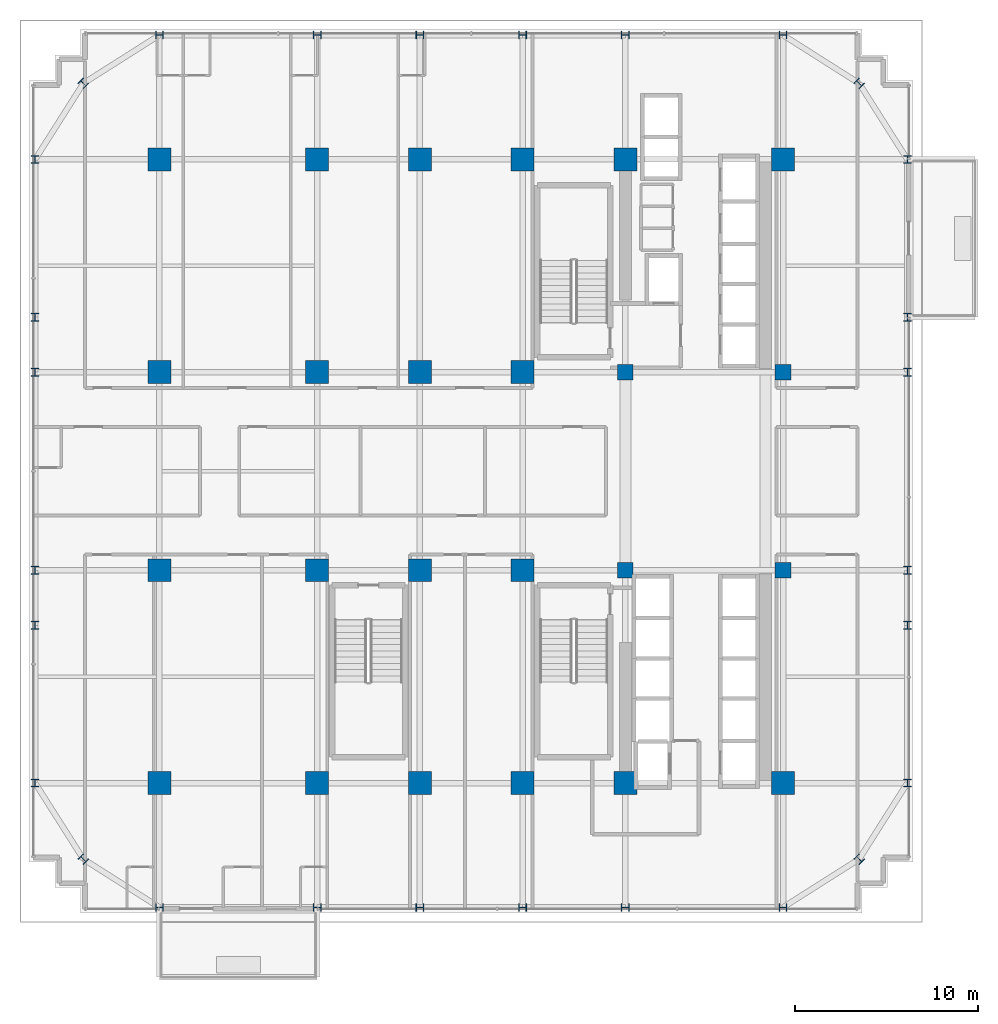
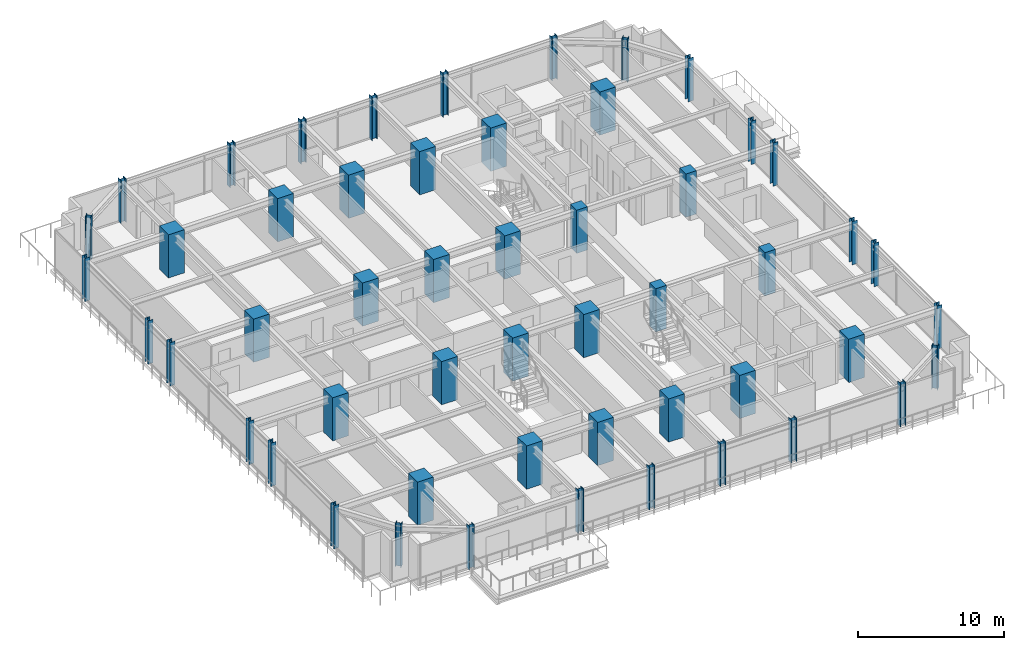
# One storey, part 1 of 34: 52 columns.
"""IFC4 building model written with IfcOpenShell, lengths in metres."""

import ifcopenshell
import ifcopenshell.guid

model = None  # the IFC model being written
_history = None  # IfcOwnerHistory: only IFC2X3 demands one
_inside = {}  # id of a spatial element -> (the spatial element, [elements in it])
_under = {}  # id of a project, library or spatial element -> (it, [spatial elements below it])
_declared = {}  # id of a project -> (the project, [libraries it declares])
_typed = {}  # id of a type object -> (the type object, [elements of that type])
_made_of = {}  # id of a material, layer set ... -> (it, [elements and type objects made of it])


def new_model(schema):
    """Start an empty IFC model of exactly this schema.

    Asked for "IFC4X3", IfcOpenShell would pick the latest addendum, in which some entities
    have other attributes; the version numbers below select the first issue.
    IFC2X3 requires an IfcOwnerHistory on every rooted entity: one is made here for all.
    """
    global model, _history
    if schema == "IFC4X3":
        model = ifcopenshell.file(schema_version=(4, 3, 0, 0))
    else:
        model = ifcopenshell.file(schema=schema)
    _inside.clear()
    _under.clear()
    _declared.clear()
    _typed.clear()
    _made_of.clear()
    _history = None
    if model.schema == "IFC2X3":
        org = make("IfcOrganization", Name="unknown")
        user = make(
            "IfcPersonAndOrganization",
            ThePerson=make("IfcPerson", FamilyName="unknown"),
            TheOrganization=org,
        )
        app = make(
            "IfcApplication",
            ApplicationDeveloper=org,
            Version="unknown",
            ApplicationFullName="unknown",
            ApplicationIdentifier="unknown",
        )
        _history = make(
            "IfcOwnerHistory",
            OwningUser=user,
            OwningApplication=app,
            ChangeAction="ADDED",
            CreationDate=0,
        )
    return model


def make(cls, **values):
    """One entity of the class cls with the attributes given. An attribute that is None is left unset."""
    return model.create_entity(
        cls, **{name: value for name, value in values.items() if value is not None}
    )


def rooted(cls, **values):
    """An entity with a GlobalId (a new one), such as an element, a storey or a relation."""
    return make(cls, GlobalId=ifcopenshell.guid.new(), OwnerHistory=_history, **values)


def si_unit(unit_type, name, prefix=None):
    """IfcSIUnit, for example si_unit("LENGTHUNIT", "METRE", prefix="MILLI")."""
    return make("IfcSIUnit", UnitType=unit_type, Prefix=prefix, Name=name)


def assignment(units):
    """IfcUnitAssignment: the units of a project."""
    return None if units is None else make("IfcUnitAssignment", Units=units)


def point(xyz):
    """IfcCartesianPoint."""
    return None if xyz is None else make("IfcCartesianPoint", Coordinates=xyz)


def direction(xyz):
    """IfcDirection."""
    return None if xyz is None else make("IfcDirection", DirectionRatios=xyz)


def frame(location, z_axis=None, x_axis=None):
    """IfcAxis2Placement3D, a coordinate frame: its origin and axes. An axis left out is left unset."""
    return make(
        "IfcAxis2Placement3D",
        Location=point(location),
        Axis=direction(z_axis),
        RefDirection=direction(x_axis),
    )


def frame_2d(location, x_axis=None):
    """IfcAxis2Placement2D, a coordinate frame in the plane: its origin and x axis."""
    return make(
        "IfcAxis2Placement2D", Location=point(location), RefDirection=direction(x_axis)
    )


def origin():
    """The frame at (0, 0, 0) with its axes left unset."""
    return frame((0.0, 0.0, 0.0))


def origin_2d():
    """The frame at (0, 0) in the plane with its x axis left unset."""
    return frame_2d((0.0, 0.0))


def place(relative_to, where):
    """IfcLocalPlacement: puts the frame where relative to a parent placement (None: the world)."""
    return make(
        "IfcLocalPlacement", PlacementRelTo=relative_to, RelativePlacement=where
    )


def context(
    kind, dimensions, precision=None, world=None, true_north=None, identifier=None
):
    """IfcGeometricRepresentationContext, for example the 3D "Model" context."""
    return make(
        "IfcGeometricRepresentationContext",
        ContextIdentifier=identifier,
        ContextType=kind,
        CoordinateSpaceDimension=dimensions,
        Precision=precision,
        WorldCoordinateSystem=world,
        TrueNorth=true_north,
    )


def subcontext(parent, identifier, kind, view, scale=None):
    """IfcGeometricRepresentationSubContext, for example "Body" below "Model"."""
    return make(
        "IfcGeometricRepresentationSubContext",
        ContextIdentifier=identifier,
        ContextType=kind,
        ParentContext=parent,
        TargetScale=scale,
        TargetView=view,
    )


def project(units=None, contexts=None):
    """IfcProject with its units and contexts."""
    return rooted(
        "IfcProject",
        Name="project",
        RepresentationContexts=contexts,
        UnitsInContext=assignment(units),
    )


def spatial(cls, under=None, at=None, **own):
    """A site, building, storey or space (cls), placed at a placement, below another one or the project."""
    s = rooted(cls, ObjectPlacement=at, **own)
    if under is not None:
        _under.setdefault(under.id(), (under, []))[1].append(s)
    return s


def profile(cls, at=None, kind="AREA", **sizes):
    """A parametric profile (cls). Its sizes go by their IFC names, for example OverallWidth=200.0."""
    return make(cls, ProfileType=kind, Position=at, **sizes)


def rectangle(**sizes):
    """IfcRectangleProfileDef."""
    return profile("IfcRectangleProfileDef", **sizes)


def i_section(**sizes):
    """IfcIShapeProfileDef."""
    return profile("IfcIShapeProfileDef", **sizes)


def extrude(swept, where, along, depth):
    """IfcExtrudedAreaSolid: the profile swept, set in the frame where, extruded along a direction by depth."""
    return make(
        "IfcExtrudedAreaSolid",
        SweptArea=swept,
        Position=where,
        ExtrudedDirection=direction(along),
        Depth=depth,
    )


def shape(context_of_items, identifier, shape_type, items):
    """IfcShapeRepresentation: the items that make up one representation, for example the "Body"."""
    return make(
        "IfcShapeRepresentation",
        ContextOfItems=context_of_items,
        RepresentationIdentifier=identifier,
        RepresentationType=shape_type,
        Items=items,
    )


def source(mapping_origin, context_of_items, identifier, shape_type, items):
    """IfcRepresentationMap: a shape defined once, which mapped items show again and again."""
    return make(
        "IfcRepresentationMap",
        MappingOrigin=mapping_origin,
        MappedRepresentation=shape(context_of_items, identifier, shape_type, items),
    )


def transform(
    local_origin,
    x_axis=None,
    y_axis=None,
    z_axis=None,
    scale=None,
    scale2=None,
    scale3=None,
    uniform=True,
):
    """IfcCartesianTransformationOperator3D, or its non-uniform kind. x_axis, y_axis, z_axis: its Axis1, 2, 3."""
    if uniform:
        return make(
            "IfcCartesianTransformationOperator3D",
            Axis1=direction(x_axis),
            Axis2=direction(y_axis),
            LocalOrigin=point(local_origin),
            Scale=scale,
            Axis3=direction(z_axis),
        )
    return make(
        "IfcCartesianTransformationOperator3DnonUniform",
        Axis1=direction(x_axis),
        Axis2=direction(y_axis),
        LocalOrigin=point(local_origin),
        Scale=scale,
        Axis3=direction(z_axis),
        Scale2=scale2,
        Scale3=scale3,
    )


def mapped(mapping_source, mapping_target):
    """IfcMappedItem: shows the shape of a source again, moved by a transform."""
    return make(
        "IfcMappedItem", MappingSource=mapping_source, MappingTarget=mapping_target
    )


def material(Name=None, Category=None):
    """IfcMaterial."""
    return make("IfcMaterial", Name=Name, Category=Category)


def material_profile(
    of_material, cross_section, Name=None, Category=None, Priority=None
):
    """IfcMaterialProfile: a cross section and its material."""
    return make(
        "IfcMaterialProfile",
        Name=Name,
        Material=of_material,
        Profile=cross_section,
        Priority=Priority,
        Category=Category,
    )


def profile_set(profiles, Name=None, composite=None):
    """IfcMaterialProfileSet."""
    return make(
        "IfcMaterialProfileSet",
        Name=Name,
        MaterialProfiles=profiles,
        CompositeProfile=composite,
    )


def made_of(thing, what):
    """Note that an element or type object is made of a material, layer set ...; save() writes the relation."""
    if what is not None:
        _made_of.setdefault(what.id(), (what, []))[1].append(thing)
    return thing


def type_object(cls, material=None, **own):
    """A type object (cls), such as IfcWallType, which elements share."""
    return made_of(rooted(cls, **own), material)


def element(
    cls,
    number,
    at=None,
    inside=None,
    cuts=None,
    type_object=None,
    material=None,
    context=None,
    identifier="Body",
    shape_type=None,
    held_by="IfcProductDefinitionShape",
    body=None,
    shapes=None,
    **own,
):
    """One element of the class cls, such as IfcWall. Its Tag is "e" and its number.

    at: its placement. inside: the storey or other place that contains it. cuts: it is an
    opening in that element (IfcRelVoidsElement). A single representation is given by context,
    identifier, shape_type and body (its items); several are given by shapes. held_by: the class
    of the entity that holds the representations. save() writes the other relations.
    """
    e = rooted(cls, Tag="e%d" % number, ObjectPlacement=at, **own)
    if body is not None:
        shapes = [shape(context, identifier, shape_type, body)]
    if shapes is not None:
        e.Representation = make(held_by, Representations=shapes)
    if inside is not None:
        _inside.setdefault(inside.id(), (inside, []))[1].append(e)
    if cuts is not None:
        rooted(
            "IfcRelVoidsElement", RelatingBuildingElement=cuts, RelatedOpeningElement=e
        )
    if type_object is not None:
        _typed.setdefault(type_object.id(), (type_object, []))[1].append(e)
    return made_of(e, material)


def aggregate(whole, parts):
    """IfcRelAggregates: a whole, such as a stair, and the parts it consists of."""
    return rooted("IfcRelAggregates", RelatingObject=whole, RelatedObjects=parts)


def save(model, path):
    """Write the relations noted so far, then the file.

    IfcRelAggregates (storeys below a building ...), IfcRelContainedInSpatialStructure (elements
    in a storey), IfcRelDefinesByType, IfcRelAssociatesMaterial and IfcRelDeclares: one each for
    every whole, place, type object, material and project.
    """
    for whole, parts in _under.values():
        aggregate(whole, parts)
    for where, things in _inside.values():
        rooted(
            "IfcRelContainedInSpatialStructure",
            RelatedElements=things,
            RelatingStructure=where,
        )
    for kind, things in _typed.values():
        rooted("IfcRelDefinesByType", RelatedObjects=things, RelatingType=kind)
    for what, things in _made_of.values():
        rooted("IfcRelAssociatesMaterial", RelatedObjects=things, RelatingMaterial=what)
    for by, libraries in _declared.values():
        rooted("IfcRelDeclares", RelatingContext=by, RelatedDefinitions=libraries)
    model.write(path)


model = new_model("IFC4")

# Units and contexts
model_context = context("Model", 3, precision=1e-05, world=origin(), true_north=direction((0.0, 1.0)))
body_context = subcontext(model_context, "Body", "Model", "MODEL_VIEW")
ifc_project = project(units=[si_unit("LENGTHUNIT", "METRE"), si_unit("AREAUNIT", "SQUARE_METRE"), si_unit("VOLUMEUNIT", "CUBIC_METRE"), si_unit("PLANEANGLEUNIT", "RADIAN"), si_unit("MASSUNIT", "GRAM", prefix="KILO")], contexts=[model_context])

# Site, building, storey
site_placement = place(None, origin())
site = spatial("IfcSite", under=ifc_project, at=site_placement, CompositionType="ELEMENT")
building_placement = place(site_placement, origin())
building = spatial("IfcBuilding", under=site, at=building_placement, Name="Nahalor Promenade Grand Hotel", CompositionType="ELEMENT")
storey_placement = place(building_placement, frame((0.0, 0.0, 88.300048828125)))
storey = spatial("IfcBuildingStorey", under=building, at=storey_placement, Name="L21", CompositionType="ELEMENT", Elevation=88.300048828125)

# Columns
ifc_material_1 = material(Name="Concrete B-70 (C60/75)", Category="concrete")
ifc_material_profile_1 = material_profile(ifc_material_1, rectangle(XDim=0.85, YDim=0.85, at=origin_2d()), Name="RC 850x850")
ifc_profile_set_1 = profile_set([ifc_material_profile_1], Name="Concrete B-70 (C60/75)")
column_type_1 = type_object("IfcColumnType", Name="Col-Pilaster-850", PredefinedType="PILASTER", material=ifc_profile_set_1)
shared_shape_1 = source(origin(), body_context, "Body", "SweptSolid", [
    extrude(rectangle(XDim=0.85, YDim=0.85, at=origin_2d()), origin(), (0.0, 0.0, 1.0), 3.60498046875),
])
for number, where, z_axis, x_axis, name in (
    (1, (8.39990234375, -5.39990234375, 0.0), (0.0, 0.0, 1.0), (1.0, 0.0, 0.0), "COL-L21-I41"),
    (2, (8.39990234375, 5.39990234375, 0.0), (0.0, 0.0, 1.0), (1.0, 0.0, 0.0), "COL-L21-I42"),
    (3, (17.0, -5.39990234375, 0.0), (0.0, 0.0, 1.0), (1.0, 0.0, 0.0), "COL-L21-I51"),
    (4, (17.0, 5.39990234375, 0.0), (0.0, 0.0, 1.0), (1.0, 0.0, 0.0), "COL-L21-I52"),
):
    element("IfcColumn", number, at=place(storey_placement, frame(where, z_axis=z_axis, x_axis=x_axis)), inside=storey, type_object=column_type_1, Name=name, PredefinedType="PILASTER", context=body_context, shape_type="MappedRepresentation", body=[
        mapped(shared_shape_1, transform((0.0, 0.0, 0.0), scale=1.0)),
    ])
ifc_material_2 = material(Name="Concrete B-60 (C50/60)", Category="concrete")
ifc_material_profile_2 = material_profile(ifc_material_2, rectangle(XDim=1.25, YDim=1.25, at=origin_2d()), Name="RC 1250x1250")
ifc_profile_set_2 = profile_set([ifc_material_profile_2], Name="Concrete B-60 (C50/60)")
column_type_2 = type_object("IfcColumnType", Name="Col-RC-1250", PredefinedType="COLUMN", material=ifc_profile_set_2)
shared_shape_2 = source(origin(), body_context, "Body", "SweptSolid", [
    extrude(rectangle(XDim=1.25, YDim=1.25, at=origin_2d()), origin(), (0.0, 0.0, 1.0), 3.60498046875),
])
for number, where, z_axis, x_axis, name in (
    (5, (-17.0, -17.0, 0.0), (0.0, 0.0, 1.0), (1.0, 0.0, 0.0), "COL-L21-I00"),
    (6, (-17.0, -5.39990234375, 0.0), (0.0, 0.0, 1.0), (1.0, 0.0, 0.0), "COL-L21-I01"),
    (7, (-17.0, 5.39990234375, 0.0), (0.0, 0.0, 1.0), (1.0, 0.0, 0.0), "COL-L21-I02"),
    (8, (-17.0, 17.0, 0.0), (0.0, 0.0, 1.0), (1.0, 0.0, 0.0), "COL-L21-I03"),
    (9, (-8.39990234375, -17.0, 0.0), (0.0, 0.0, 1.0), (1.0, 0.0, 0.0), "COL-L21-I10"),
    (10, (-8.39990234375, -5.39990234375, 0.0), (0.0, 0.0, 1.0), (1.0, 0.0, 0.0), "COL-L21-I11"),
    (11, (-8.39990234375, 5.39990234375, 0.0), (0.0, 0.0, 1.0), (1.0, 0.0, 0.0), "COL-L21-I12"),
    (12, (-8.39990234375, 17.0, 0.0), (0.0, 0.0, 1.0), (1.0, 0.0, 0.0), "COL-L21-I13"),
    (13, (-2.800048828125, -17.0, 0.0), (0.0, 0.0, 1.0), (1.0, 0.0, 0.0), "COL-L21-I20"),
    (14, (-2.800048828125, -5.39990234375, 0.0), (0.0, 0.0, 1.0), (1.0, 0.0, 0.0), "COL-L21-I21"),
    (15, (-2.800048828125, 5.39990234375, 0.0), (0.0, 0.0, 1.0), (1.0, 0.0, 0.0), "COL-L21-I22"),
    (16, (-2.800048828125, 17.0, 0.0), (0.0, 0.0, 1.0), (1.0, 0.0, 0.0), "COL-L21-I23"),
    (17, (2.800048828125, -17.0, 0.0), (0.0, 0.0, 1.0), (1.0, 0.0, 0.0), "COL-L21-I30"),
    (18, (2.800048828125, -5.39990234375, 0.0), (0.0, 0.0, 1.0), (1.0, 0.0, 0.0), "COL-L21-I31"),
    (19, (2.800048828125, 5.39990234375, 0.0), (0.0, 0.0, 1.0), (1.0, 0.0, 0.0), "COL-L21-I32"),
    (20, (2.800048828125, 17.0, 0.0), (0.0, 0.0, 1.0), (1.0, 0.0, 0.0), "COL-L21-I33"),
    (21, (8.39990234375, -17.0, 0.0), (0.0, 0.0, 1.0), (1.0, 0.0, 0.0), "COL-L21-I40"),
    (22, (8.39990234375, 17.0, 0.0), (0.0, 0.0, 1.0), (1.0, 0.0, 0.0), "COL-L21-I43"),
    (23, (17.0, -17.0, 0.0), (0.0, 0.0, 1.0), (1.0, 0.0, 0.0), "COL-L21-I50"),
    (24, (17.0, 17.0, 0.0), (0.0, 0.0, 1.0), (1.0, 0.0, 0.0), "COL-L21-I53"),
):
    element("IfcColumn", number, at=place(storey_placement, frame(where, z_axis=z_axis, x_axis=x_axis)), inside=storey, type_object=column_type_2, Name=name, PredefinedType="COLUMN", context=body_context, shape_type="MappedRepresentation", body=[
        mapped(shared_shape_2, transform((0.0, 0.0, 0.0), scale=1.0)),
    ])
ifc_material_3 = material(Name="Steel S355J2", Category="steel")
ifc_material_profile_3 = material_profile(ifc_material_3, i_section(OverallWidth=0.409, OverallDepth=0.43, WebThickness=0.0208, FlangeThickness=0.0335, at=origin_2d()), Name="HD 400x421")
ifc_profile_set_3 = profile_set([ifc_material_profile_3], Name="Steel S355J2")
column_type_3 = type_object("IfcColumnType", Name="Col-Steel-HD421", PredefinedType="COLUMN", material=ifc_profile_set_3)
shared_shape_3 = source(origin(), body_context, "Body", "SweptSolid", [
    extrude(i_section(OverallWidth=0.409, OverallDepth=0.43, WebThickness=0.0208, FlangeThickness=0.0335, at=origin_2d()), origin(), (0.0, 0.0, 1.0), 3.60498046875),
])
for number, where, z_axis, x_axis, name in (
    (25, (-23.780029296875, -17.0, 0.0), (0.0, 0.0, 1.0), (1.0, 0.0, 0.0), "COL-L21-PW-W0"),
    (26, (23.780029296875, -17.0, 0.0), (0.0, 0.0, 1.0), (1.0, 0.0, 0.0), "COL-L21-PW-E0"),
    (27, (-23.780029296875, -8.39990234375, 0.0), (0.0, 0.0, 1.0), (1.0, 0.0, 0.0), "COL-L21-PW-W1"),
    (28, (23.780029296875, -8.39990234375, 0.0), (0.0, 0.0, 1.0), (1.0, 0.0, 0.0), "COL-L21-PW-E1"),
    (29, (-23.780029296875, -5.39990234375, 0.0), (0.0, 0.0, 1.0), (1.0, 0.0, 0.0), "COL-L21-PW-W2"),
    (30, (23.780029296875, -5.39990234375, 0.0), (0.0, 0.0, 1.0), (1.0, 0.0, 0.0), "COL-L21-PW-E2"),
    (31, (-23.780029296875, 5.39990234375, 0.0), (0.0, 0.0, 1.0), (1.0, 0.0, 0.0), "COL-L21-PW-W3"),
    (32, (23.780029296875, 5.39990234375, 0.0), (0.0, 0.0, 1.0), (1.0, 0.0, 0.0), "COL-L21-PW-E3"),
    (33, (-23.780029296875, 8.39990234375, 0.0), (0.0, 0.0, 1.0), (1.0, 0.0, 0.0), "COL-L21-PW-W4"),
    (34, (23.780029296875, 8.39990234375, 0.0), (0.0, 0.0, 1.0), (1.0, 0.0, 0.0), "COL-L21-PW-E4"),
    (35, (-23.780029296875, 17.0, 0.0), (0.0, 0.0, 1.0), (1.0, 0.0, 0.0), "COL-L21-PW-W5"),
    (36, (23.780029296875, 17.0, 0.0), (0.0, 0.0, 1.0), (1.0, 0.0, 0.0), "COL-L21-PW-E5"),
    (37, (-17.0, -23.780029296875, 0.0), (0.0, 0.0, 1.0), (0.0, 1.0, 0.0), "COL-L21-PN-S0"),
    (38, (-17.0, 23.780029296875, 0.0), (0.0, 0.0, 1.0), (0.0, 1.0, 0.0), "COL-L21-PN-N0"),
    (39, (-8.39990234375, -23.780029296875, 0.0), (0.0, 0.0, 1.0), (0.0, 1.0, 0.0), "COL-L21-PN-S1"),
    (40, (-8.39990234375, 23.780029296875, 0.0), (0.0, 0.0, 1.0), (0.0, 1.0, 0.0), "COL-L21-PN-N1"),
    (41, (-2.800048828125, -23.780029296875, 0.0), (0.0, 0.0, 1.0), (0.0, 1.0, 0.0), "COL-L21-PN-S2"),
    (42, (-2.800048828125, 23.780029296875, 0.0), (0.0, 0.0, 1.0), (0.0, 1.0, 0.0), "COL-L21-PN-N2"),
    (43, (2.800048828125, -23.780029296875, 0.0), (0.0, 0.0, 1.0), (0.0, 1.0, 0.0), "COL-L21-PN-S3"),
    (44, (2.800048828125, 23.780029296875, 0.0), (0.0, 0.0, 1.0), (0.0, 1.0, 0.0), "COL-L21-PN-N3"),
    (45, (8.39990234375, -23.780029296875, 0.0), (0.0, 0.0, 1.0), (0.0, 1.0, 0.0), "COL-L21-PN-S4"),
    (46, (8.39990234375, 23.780029296875, 0.0), (0.0, 0.0, 1.0), (0.0, 1.0, 0.0), "COL-L21-PN-N4"),
    (47, (17.0, -23.780029296875, 0.0), (0.0, 0.0, 1.0), (0.0, 1.0, 0.0), "COL-L21-PN-S5"),
    (48, (17.0, 23.780029296875, 0.0), (0.0, 0.0, 1.0), (0.0, 1.0, 0.0), "COL-L21-PN-N5"),
    (49, (-21.14990234375, -21.14990234375, 0.0), (0.0, 0.0, 1.0), (0.707106781187, 0.707106781187, 0.0), "COL-L21-CRN-SW"),
    (50, (-21.14990234375, 21.14990234375, 0.0), (0.0, 0.0, 1.0), (0.707106781187, 0.707106781187, 0.0), "COL-L21-CRN-NW"),
    (51, (21.14990234375, -21.14990234375, 0.0), (0.0, 0.0, 1.0), (0.707106781187, 0.707106781187, 0.0), "COL-L21-CRN-SE"),
    (52, (21.14990234375, 21.14990234375, 0.0), (0.0, 0.0, 1.0), (0.707106781187, 0.707106781187, 0.0), "COL-L21-CRN-NE"),
):
    element("IfcColumn", number, at=place(storey_placement, frame(where, z_axis=z_axis, x_axis=x_axis)), inside=storey, type_object=column_type_3, Name=name, PredefinedType="COLUMN", context=body_context, shape_type="MappedRepresentation", body=[
        mapped(shared_shape_3, transform((0.0, 0.0, 0.0), scale=1.0)),
    ])

save(model, "model.ifc")
